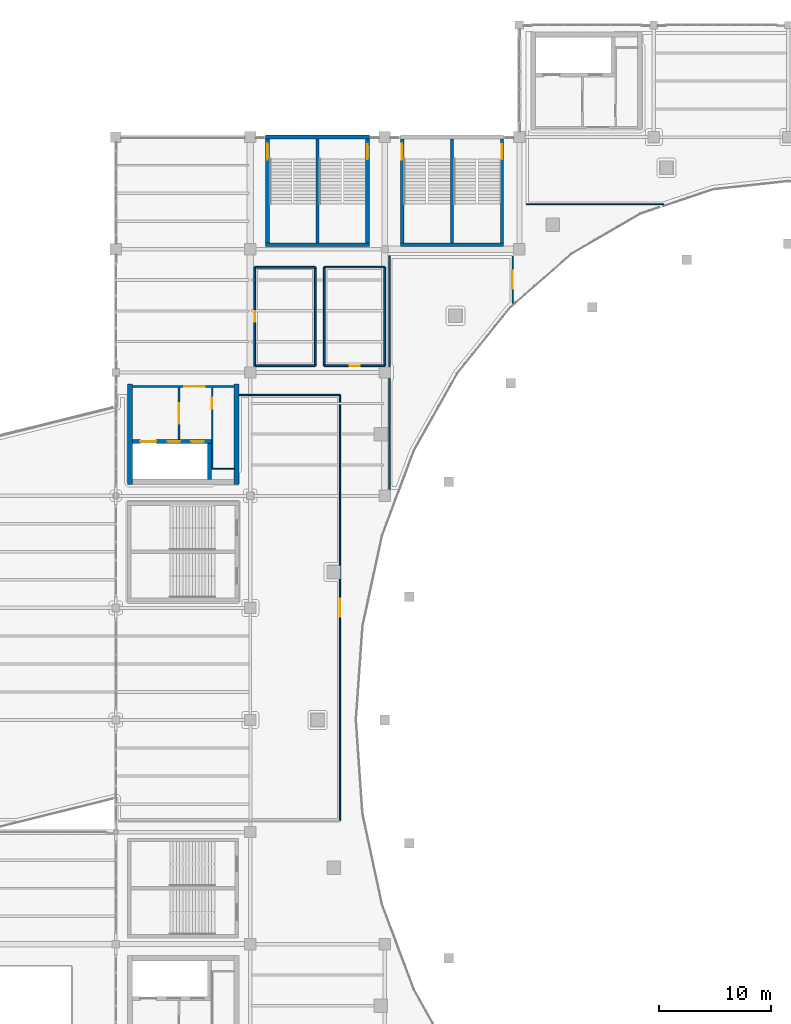
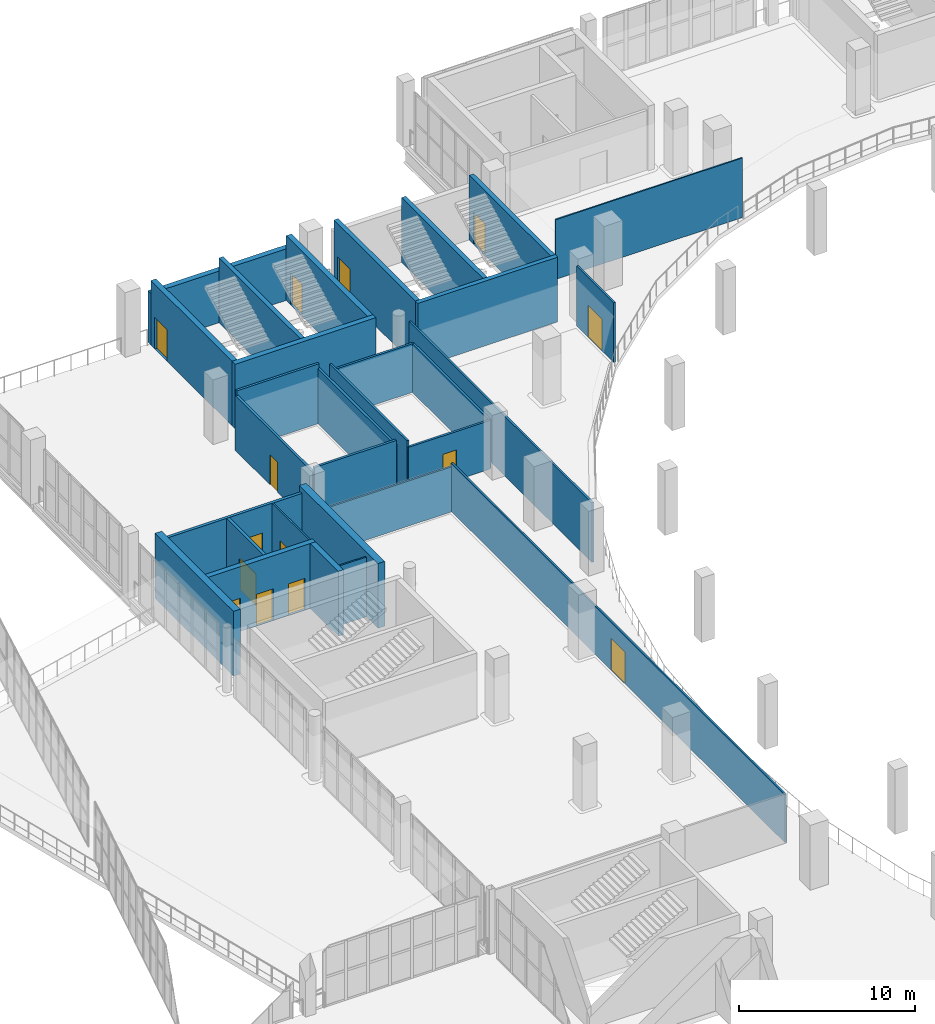
# One storey, part 82 of 108: 30 walls, 14 doors, 14 openings.
"""IFC4 building model written with IfcOpenShell, lengths in metres."""

from ifc_helpers import new_model, si_unit, direction, frame, frame_2d, origin, place, context, subcontext, project, spatial, rectangle, extrude, material, layer, layer_set, type_object, element, fill, save


model = new_model("IFC4")

# Units and contexts
model_context = context("Model", 3, precision=1e-05, world=origin(), true_north=direction((0.0, 1.0)))
body_context = subcontext(model_context, "Body", "Model", "MODEL_VIEW")
ifc_project = project(units=[si_unit("LENGTHUNIT", "METRE"), si_unit("AREAUNIT", "SQUARE_METRE"), si_unit("VOLUMEUNIT", "CUBIC_METRE"), si_unit("PLANEANGLEUNIT", "RADIAN"), si_unit("MASSUNIT", "GRAM", prefix="KILO")], contexts=[model_context])

# Site, building, storey
site_placement = place(None, origin())
site = spatial("IfcSite", under=ifc_project, at=site_placement, CompositionType="ELEMENT")
building_placement = place(site_placement, origin())
building = spatial("IfcBuilding", under=site, at=building_placement, Name="Brinegate Civic Arena", CompositionType="ELEMENT")
storey_placement = place(building_placement, frame((0.0, 0.0, 10.199951171875)))
storey = spatial("IfcBuildingStorey", under=building, at=storey_placement, Name="L02", CompositionType="ELEMENT", Elevation=10.199951171875)

# Wall
ifc_material_1 = material(Name="Concrete C50/60", Category="concrete")
ifc_layer_1 = layer(ifc_material_1, 0.35009765625, Name="Concrete C50/60")
ifc_layer_set_1 = layer_set([ifc_layer_1], Name="Concrete C50/60")
wall_type_1 = type_object("IfcWallType", Name="WALL-CORE-SHEAR-350", PredefinedType="SHEAR", material=ifc_layer_set_1)
wall_1_placement = place(storey_placement, frame((61.375, 104.39990234375, 0.0), z_axis=(0.0, 0.0, 1.0), x_axis=(1.0, 0.0, 0.0)))
element("IfcWall", 1, at=wall_1_placement, inside=storey, type_object=wall_type_1, Name="Stair ST-01 South Shear Wall L02 (WBB-12)", PredefinedType="SHEAR", context=body_context, shape_type="SweptSolid", body=[
    extrude(rectangle(XDim=9.25, YDim=0.35009765625, at=frame_2d((4.625, 0.0))), origin(), (0.0, 0.0, 1.0), 4.5),
])

# Wall, opening, door
wall_2_placement = place(storey_placement, frame((61.550048828125, 104.574951171875, 0.0), z_axis=(0.0, 0.0, 1.0), x_axis=(0.0, 1.0, 0.0)))
wall_2 = element("IfcWall", 2, at=wall_2_placement, inside=storey, type_object=wall_type_1, Name="Stair ST-01 West Shear Wall L02 (WBB-14)", PredefinedType="SHEAR", context=body_context, shape_type="SweptSolid", body=[
    extrude(rectangle(XDim=9.25, YDim=0.35009765625, at=frame_2d((4.625, 0.0))), origin(), (0.0, 0.0, 1.0), 4.5),
])
opening_1_placement = place(wall_2_placement, frame((7.425048828125, 0.0, 0.0)))
opening_1 = element("IfcOpeningElement", 3, at=opening_1_placement, cuts=wall_2, Name="Opening D-ST01A-L02", PredefinedType="OPENING", context=body_context, shape_type="SweptSolid", body=[
    extrude(rectangle(XDim=1.39990234375, YDim=2.199951171875, at=frame_2d((0.699951171875, 1.10009765625))), frame((0.0, 0.18505859375, 0.0), z_axis=(0.0, -1.0, 0.0), x_axis=(1.0, 0.0, 0.0)), (0.0, 0.0, 1.0), 0.3701171875),
])
ifc_material_2 = material(Name="Galvanized hurricane steel", Category="steel")
door_type_1 = type_object("IfcDoorType", Name="DOOR-STAIR-2400X2200", OperationType="NOTDEFINED", PredefinedType="DOOR", material=ifc_material_2)
door_1_placement = place(opening_1_placement, frame((1.39990234375, 0.0, 0.0), z_axis=(0.0, 0.0, 1.0), x_axis=(-1.0, 0.0, 0.0)))
door_1 = element("IfcDoor", 4, at=door_1_placement, inside=storey, type_object=door_type_1, Name="Protected Exit Stair Door D-ST01A-L02", OperationType="DOUBLE_DOOR_SINGLE_SWING", OverallHeight=2.199951171875, OverallWidth=1.39990234375, PredefinedType="DOOR", context=body_context, shape_type="SweptSolid", body=[
    extrude(rectangle(XDim=1.39990234375, YDim=2.199951171875, at=frame_2d((0.699951171875, 1.10009765625))), frame((0.0, 0.02490234375, 0.0), z_axis=(0.0, -1.0, 0.0), x_axis=(1.0, 0.0, 0.0)), (0.0, 0.0, 1.0), 0.050048828125),
])
fill(opening_1, door_1)

wall_3_placement = place(storey_placement, frame((70.449951171875, 104.574951171875, 0.0), z_axis=(0.0, 0.0, 1.0), x_axis=(0.0, 1.0, 0.0)))
wall_3 = element("IfcWall", 5, at=wall_3_placement, inside=storey, type_object=wall_type_1, Name="Stair ST-01 East Shear Wall L02 (WBB-15)", PredefinedType="SHEAR", context=body_context, shape_type="SweptSolid", body=[
    extrude(rectangle(XDim=9.25, YDim=0.35009765625, at=frame_2d((4.625, 0.0))), origin(), (0.0, 0.0, 1.0), 4.5),
])
opening_2_placement = place(wall_3_placement, frame((7.465087890625, 0.0, 0.0)))
opening_2 = element("IfcOpeningElement", 6, at=opening_2_placement, cuts=wall_3, Name="Opening D-ST01B-L02", PredefinedType="OPENING", context=body_context, shape_type="SweptSolid", body=[
    extrude(rectangle(XDim=1.320068359375, YDim=2.199951171875, at=frame_2d((0.66015625, 1.10009765625))), frame((0.0, 0.18505859375, 0.0), z_axis=(0.0, -1.0, 0.0), x_axis=(1.0, 0.0, 0.0)), (0.0, 0.0, 1.0), 0.3701171875),
])
door_type_2 = type_object("IfcDoorType", Name="DOOR-STAIR-2200X2200", OperationType="NOTDEFINED", PredefinedType="DOOR", material=ifc_material_2)
door_2_placement = place(opening_2_placement, origin())
door_2 = element("IfcDoor", 7, at=door_2_placement, inside=storey, type_object=door_type_2, Name="Protected Exit Stair Door D-ST01B-L02", OperationType="DOUBLE_DOOR_SINGLE_SWING", OverallHeight=2.199951171875, OverallWidth=1.320068359375, PredefinedType="DOOR", context=body_context, shape_type="SweptSolid", body=[
    extrude(rectangle(XDim=1.320068359375, YDim=2.199951171875, at=frame_2d((0.66015625, 1.10009765625))), frame((0.0, 0.02490234375, 0.0), z_axis=(0.0, -1.0, 0.0), x_axis=(1.0, 0.0, 0.0)), (0.0, 0.0, 1.0), 0.050048828125),
])
fill(opening_2, door_2)

# Wall, openings, doors
wall_4_placement = place(storey_placement, frame((49.47509765625, 86.85009765625, 0.0), z_axis=(0.0, 0.0, 1.0), x_axis=(1.0, 0.0, 0.0)))
wall_4 = element("IfcWall", 8, at=wall_4_placement, inside=storey, type_object=wall_type_1, Name="Core K1 Lift Shaft Front Wall L02 (WBF-57)", PredefinedType="SHEAR", context=body_context, shape_type="SweptSolid", body=[
    extrude(rectangle(XDim=7.0498046875, YDim=0.35009765625, at=frame_2d((3.52490234375, 0.0))), origin(), (0.0, 0.0, 1.0), 4.5),
])
opening_3_placement = place(wall_4_placement, frame((0.72509765625, 0.0, 0.0)))
opening_3 = element("IfcOpeningElement", 9, at=opening_3_placement, cuts=wall_4, Name="Opening LD-FL1-L02", PredefinedType="OPENING", context=body_context, shape_type="SweptSolid", body=[
    extrude(rectangle(XDim=1.39990234375, YDim=2.300048828125, at=frame_2d((0.699951171875, 1.14990234375))), frame((0.0, 0.18505859375, 0.0), z_axis=(0.0, -1.0, 0.0), x_axis=(1.0, 0.0, 0.0)), (0.0, 0.0, 1.0), 0.3701171875),
])
opening_4_placement = place(wall_4_placement, frame((3.175048828125, 0.0, 0.0)))
opening_4 = element("IfcOpeningElement", 10, at=opening_4_placement, cuts=wall_4, Name="Opening LD-PL1-L02", PredefinedType="OPENING", context=body_context, shape_type="SweptSolid", body=[
    extrude(rectangle(XDim=1.10009765625, YDim=2.199951171875, at=frame_2d((0.550048828125, 1.10009765625))), frame((0.0, 0.18505859375, 0.0), z_axis=(0.0, -1.0, 0.0), x_axis=(1.0, 0.0, 0.0)), (0.0, 0.0, 1.0), 0.3701171875),
])
opening_5_placement = place(wall_4_placement, frame((5.27490234375, 0.0, 0.0)))
opening_5 = element("IfcOpeningElement", 11, at=opening_5_placement, cuts=wall_4, Name="Opening LD-PL2-L02", PredefinedType="OPENING", context=body_context, shape_type="SweptSolid", body=[
    extrude(rectangle(XDim=1.10009765625, YDim=2.199951171875, at=frame_2d((0.550048828125, 1.10009765625))), frame((0.0, 0.18505859375, 0.0), z_axis=(0.0, -1.0, 0.0), x_axis=(1.0, 0.0, 0.0)), (0.0, 0.0, 1.0), 0.3701171875),
])
ifc_material_3 = material(Name="Architectural stainless steel balustrade", Category="steel")
door_type_3 = type_object("IfcDoorType", Name="DOOR-LIFT-1100X2200", OperationType="SLIDING_TO_LEFT", PredefinedType="DOOR", material=ifc_material_3)
door_3_placement = place(opening_4_placement, origin())
door_3 = element("IfcDoor", 12, at=door_3_placement, inside=storey, type_object=door_type_3, Name="Sliding Lift Landing Door LD-PL1-L02", OperationType="SLIDING_TO_LEFT", OverallHeight=2.199951171875, OverallWidth=1.10009765625, PredefinedType="DOOR", context=body_context, shape_type="SweptSolid", body=[
    extrude(rectangle(XDim=1.10009765625, YDim=2.199951171875, at=frame_2d((0.550048828125, 1.10009765625))), frame((0.0, 0.02490234375, 0.0), z_axis=(0.0, -1.0, 0.0), x_axis=(1.0, 0.0, 0.0)), (0.0, 0.0, 1.0), 0.050048828125),
])
fill(opening_4, door_3)
door_4_placement = place(opening_5_placement, origin())
door_4 = element("IfcDoor", 13, at=door_4_placement, inside=storey, type_object=door_type_3, Name="Sliding Lift Landing Door LD-PL2-L02", OperationType="SLIDING_TO_LEFT", OverallHeight=2.199951171875, OverallWidth=1.10009765625, PredefinedType="DOOR", context=body_context, shape_type="SweptSolid", body=[
    extrude(rectangle(XDim=1.10009765625, YDim=2.199951171875, at=frame_2d((0.550048828125, 1.10009765625))), frame((0.0, 0.02490234375, 0.0), z_axis=(0.0, -1.0, 0.0), x_axis=(1.0, 0.0, 0.0)), (0.0, 0.0, 1.0), 0.050048828125),
])
fill(opening_5, door_4)
door_type_4 = type_object("IfcDoorType", Name="DOOR-LIFT-1400X2300", OperationType="SLIDING_TO_LEFT", PredefinedType="DOOR", material=ifc_material_3)
door_5_placement = place(opening_3_placement, origin())
door_5 = element("IfcDoor", 14, at=door_5_placement, inside=storey, type_object=door_type_4, Name="Sliding Lift Landing Door LD-FL1-L02", OperationType="SLIDING_TO_LEFT", OverallHeight=2.300048828125, OverallWidth=1.39990234375, PredefinedType="DOOR", context=body_context, shape_type="SweptSolid", body=[
    extrude(rectangle(XDim=1.39990234375, YDim=2.300048828125, at=frame_2d((0.699951171875, 1.14990234375))), frame((0.0, 0.02490234375, 0.0), z_axis=(0.0, -1.0, 0.0), x_axis=(1.0, 0.0, 0.0)), (0.0, 0.0, 1.0), 0.050048828125),
])
fill(opening_3, door_5)

# Walls
wall_5_placement = place(storey_placement, frame((56.35009765625, 83.47509765625, 0.0), z_axis=(0.0, 0.0, 1.0), x_axis=(0.0, 1.0, 0.0)))
element("IfcWall", 15, at=wall_5_placement, inside=storey, type_object=wall_type_1, Name="Core K1 Lift Shaft End Wall L02 (WBF-58)", PredefinedType="SHEAR", context=body_context, shape_type="SweptSolid", body=[
    extrude(rectangle(XDim=3.199951171875, YDim=0.35009765625, at=frame_2d((1.60009765625, 0.0))), origin(), (0.0, 0.0, 1.0), 4.5),
])
ifc_layer_2 = layer(ifc_material_1, 0.449951171875, Name="Concrete C50/60")
ifc_layer_set_2 = layer_set([ifc_layer_2], Name="Concrete C50/60")
wall_type_2 = type_object("IfcWallType", Name="WALL-CORE-SHEAR-450", PredefinedType="SHEAR", material=ifc_layer_set_2)
for number, where, z_axis, x_axis, name in (
    (16, (49.25, 83.02490234375, 0.0), (0.0, 0.0, 1.0), (0.0, 1.0, 0.0), "Core K1 West Shear Wall L02 (WBF-54)"),
    (17, (58.75, 83.02490234375, 0.0), (0.0, 0.0, 1.0), (0.0, 1.0, 0.0), "Core K1 East Shear Wall L02 (WBF-55)"),
):
    element("IfcWall", number, at=place(storey_placement, frame(where, z_axis=z_axis, x_axis=x_axis)), inside=storey, type_object=wall_type_2, Name=name, PredefinedType="SHEAR", context=body_context, shape_type="SweptSolid", body=[
        extrude(rectangle(XDim=8.9501953125, YDim=0.449951171875, at=frame_2d((4.47509765625, 0.0))), origin(), (0.0, 0.0, 1.0), 4.5),
    ])
ifc_layer_3 = layer(ifc_material_1, 0.35009765625, Name="Concrete C50/60")
ifc_layer_set_3 = layer_set([ifc_layer_3], Name="Concrete C50/60")
wall_type_3 = type_object("IfcWallType", Name="WALL-EXT-STAIR-SHEAR-350", PredefinedType="SHEAR", material=ifc_layer_set_3)
wall_6_placement = place(storey_placement, frame((61.375, 114.0, 0.0), z_axis=(0.0, 0.0, 1.0), x_axis=(1.0, 0.0, 0.0)))
element("IfcWall", 18, at=wall_6_placement, inside=storey, type_object=wall_type_3, Name="Stair ST-01 North Shear Wall L02 (WBB-13)", PredefinedType="SHEAR", context=body_context, shape_type="SweptSolid", body=[
    extrude(rectangle(XDim=9.25, YDim=0.35009765625, at=frame_2d((4.625, 0.0))), origin(), (0.0, 0.0, 1.0), 3.5859375),
])

# Wall, opening, door
ifc_material_4 = material(Name="Fire-rated gypsum partition assembly")
ifc_layer_4 = layer(ifc_material_4, 0.1298828125, Name="Fire-rated gypsum partition assembly")
ifc_layer_set_4 = layer_set([ifc_layer_4], Name="Fire-rated gypsum partition assembly")
wall_type_4 = type_object("IfcWallType", Name="WALL-PART-ACOUSTIC-130", PredefinedType="PARTITIONING", material=ifc_layer_set_4)
wall_7_placement = place(storey_placement, frame((83.39990234375, 103.39990234375, 0.0), z_axis=(0.0, 0.0, 1.0), x_axis=(0.0, -1.0, 0.0)))
wall_7 = element("IfcWall", 19, at=wall_7_placement, inside=storey, type_object=wall_type_4, Name="North-West Club Terrace Salon Partition Wall E2 (WBJ-39)", PredefinedType="PARTITIONING", context=body_context, shape_type="SweptSolid", body=[
    extrude(rectangle(XDim=4.23583984375, YDim=0.1298828125, at=frame_2d((2.117919921875, 0.0))), origin(), (0.0, 0.0, 1.0), 4.150146484375),
])
opening_6_placement = place(wall_7_placement, frame((1.318115234375, 0.0, 0.0)))
opening_6 = element("IfcOpeningElement", 20, at=opening_6_placement, cuts=wall_7, Name="Opening D-L02-190", PredefinedType="OPENING", context=body_context, shape_type="SweptSolid", body=[
    extrude(rectangle(XDim=1.60009765625, YDim=2.199951171875, at=frame_2d((0.800048828125, 1.10009765625))), frame((0.0, 0.074951171875, 0.0), z_axis=(0.0, -1.0, 0.0), x_axis=(1.0, 0.0, 0.0)), (0.0, 0.0, 1.0), 0.14990234375),
])
ifc_material_5 = material(Name="Hardwood acoustic timber door", Category="wood")
door_type_5 = type_object("IfcDoorType", Name="DOOR-CLUB-1600X2200", OperationType="NOTDEFINED", PredefinedType="DOOR", material=ifc_material_5)
door_6_placement = place(opening_6_placement, origin())
door_6 = element("IfcDoor", 21, at=door_6_placement, inside=storey, type_object=door_type_5, Name="North-West Club Terrace Salon Door D-L02-190", OperationType="DOUBLE_DOOR_SINGLE_SWING", OverallHeight=2.199951171875, OverallWidth=1.60009765625, PredefinedType="DOOR", context=body_context, shape_type="SweptSolid", body=[
    extrude(rectangle(XDim=1.60009765625, YDim=2.199951171875, at=frame_2d((0.800048828125, 1.10009765625))), frame((0.0, 0.02490234375, 0.0), z_axis=(0.0, -1.0, 0.0), x_axis=(1.0, 0.0, 0.0)), (0.0, 0.0, 1.0), 0.050048828125),
])
fill(opening_6, door_6)

# Walls
wall_8_placement = place(storey_placement, frame((72.39990234375, 82.60009765625, 0.0), z_axis=(0.0, 0.0, 1.0), x_axis=(0.0, 1.0, 0.0)))
element("IfcWall", 22, at=wall_8_placement, inside=storey, type_object=wall_type_4, Name="North-West Club Terrace Salon Partition Wall E9 (WBJ-40)", PredefinedType="PARTITIONING", context=body_context, shape_type="SweptSolid", body=[
    extrude(rectangle(XDim=20.7998046875, YDim=0.1298828125, at=frame_2d((10.39990234375, 0.0))), origin(), (0.0, 0.0, 1.0), 4.150146484375),
])
ifc_layer_5 = layer(ifc_material_4, 0.090087890625, Name="Fire-rated gypsum partition assembly")
ifc_layer_set_5 = layer_set([ifc_layer_5], Name="Fire-rated gypsum partition assembly")
wall_type_5 = type_object("IfcWallType", Name="WALL-PART-LIGHT-090", PredefinedType="PARTITIONING", material=ifc_layer_set_5)
wall_9_placement = place(storey_placement, frame((96.8798828125, 108.0, 0.0), z_axis=(0.0, 0.0, 1.0), x_axis=(-1.0, 0.0, 0.0)))
element("IfcWall", 23, at=wall_9_placement, inside=storey, type_object=wall_type_5, Name="Civic Architecture Exhibition Hall Partition Wall E128 (WBJ-23)", PredefinedType="PARTITIONING", context=body_context, shape_type="SweptSolid", body=[
    extrude(rectangle(XDim=12.27978515625, YDim=0.090087890625, at=frame_2d((6.139892578125, 0.0))), origin(), (0.0, 0.0, 1.0), 4.150146484375),
])
ifc_layer_6 = layer(ifc_material_4, 0.159912109375, Name="Fire-rated gypsum partition assembly")
ifc_layer_set_6 = layer_set([ifc_layer_6], Name="Fire-rated gypsum partition assembly")
wall_type_6 = type_object("IfcWallType", Name="WALL-PART-RATED-160", PredefinedType="PARTITIONING", material=ifc_layer_set_6)
wall_10_placement = place(storey_placement, frame((65.800048828125, 102.39990234375, 0.0), z_axis=(0.0, 0.0, 1.0), x_axis=(0.0, -1.0, 0.0)))
element("IfcWall", 24, at=wall_10_placement, inside=storey, type_object=wall_type_6, Name="Club Male Toilet L02 Partition Wall E1 (WBJ-31)", PredefinedType="PARTITIONING", context=body_context, shape_type="SweptSolid", body=[
    extrude(rectangle(XDim=8.7998046875, YDim=0.159912109375, at=frame_2d((4.39990234375, 0.0))), origin(), (0.0, 0.0, 1.0), 3.820068359375),
])
wall_11_placement = place(storey_placement, frame((65.800048828125, 93.60009765625, 0.0), z_axis=(0.0, 0.0, 1.0), x_axis=(-1.0, 0.0, 0.0)))
element("IfcWall", 25, at=wall_11_placement, inside=storey, type_object=wall_type_6, Name="Club Male Toilet L02 Partition Wall E2 (WBJ-32)", PredefinedType="PARTITIONING", context=body_context, shape_type="SweptSolid", body=[
    extrude(rectangle(XDim=5.400146484375, YDim=0.159912109375, at=frame_2d((2.7001953125, 0.0))), origin(), (0.0, 0.0, 1.0), 4.150146484375),
])

# Wall, opening, door
wall_12_placement = place(storey_placement, frame((60.39990234375, 93.60009765625, 0.0), z_axis=(0.0, 0.0, 1.0), x_axis=(0.0, 1.0, 0.0)))
wall_12 = element("IfcWall", 26, at=wall_12_placement, inside=storey, type_object=wall_type_6, Name="Club Male Toilet L02 Partition Wall E3 (WBJ-33)", PredefinedType="PARTITIONING", context=body_context, shape_type="SweptSolid", body=[
    extrude(rectangle(XDim=8.7998046875, YDim=0.159912109375, at=frame_2d((4.39990234375, 0.0))), origin(), (0.0, 0.0, 1.0), 3.820068359375),
])
opening_7_placement = place(wall_12_placement, frame((3.949951171875, 0.0, 0.0)))
opening_7 = element("IfcOpeningElement", 27, at=opening_7_placement, cuts=wall_12, Name="Opening D-L02-188", PredefinedType="OPENING", context=body_context, shape_type="SweptSolid", body=[
    extrude(rectangle(XDim=0.89990234375, YDim=2.10009765625, at=frame_2d((0.449951171875, 1.050048828125))), frame((0.0, 0.08984375, 0.0), z_axis=(0.0, -1.0, 0.0), x_axis=(1.0, 0.0, 0.0)), (0.0, 0.0, 1.0), 0.179931640625),
])
door_type_6 = type_object("IfcDoorType", Name="DOOR-WC-900X2100", OperationType="NOTDEFINED", PredefinedType="DOOR", material=ifc_material_5)
door_7_placement = place(opening_7_placement, origin())
door_7 = element("IfcDoor", 28, at=door_7_placement, inside=storey, type_object=door_type_6, Name="Club Male Toilet L02 Door D-L02-188", OperationType="SINGLE_SWING_RIGHT", OverallHeight=2.10009765625, OverallWidth=0.89990234375, PredefinedType="DOOR", context=body_context, shape_type="SweptSolid", body=[
    extrude(rectangle(XDim=0.89990234375, YDim=2.10009765625, at=frame_2d((0.449951171875, 1.050048828125))), frame((0.0, 0.02490234375, 0.0), z_axis=(0.0, -1.0, 0.0), x_axis=(1.0, 0.0, 0.0)), (0.0, 0.0, 1.0), 0.050048828125),
])
fill(opening_7, door_7)

# Wall
wall_13_placement = place(storey_placement, frame((60.39990234375, 102.39990234375, 0.0), z_axis=(0.0, 0.0, 1.0), x_axis=(1.0, 0.0, 0.0)))
element("IfcWall", 29, at=wall_13_placement, inside=storey, type_object=wall_type_6, Name="Club Male Toilet L02 Partition Wall E4 (WBJ-34)", PredefinedType="PARTITIONING", context=body_context, shape_type="SweptSolid", body=[
    extrude(rectangle(XDim=5.400146484375, YDim=0.159912109375, at=frame_2d((2.7001953125, 0.0))), origin(), (0.0, 0.0, 1.0), 4.150146484375),
])

# Wall, opening, door
ifc_material_6 = material(Name="Concrete blockwork masonry", Category="masonry")
ifc_layer_7 = layer(ifc_material_6, 0.18994140625, Name="Concrete blockwork masonry")
ifc_layer_set_7 = layer_set([ifc_layer_7], Name="Concrete blockwork masonry")
wall_type_7 = type_object("IfcWallType", Name="WALL-PART-RATED-190", PredefinedType="PARTITIONING", material=ifc_layer_set_7)
wall_14_placement = place(storey_placement, frame((49.469970703125, 91.75, 0.0), z_axis=(0.0, 0.0, 1.0), x_axis=(1.0, 0.0, 0.0)))
wall_14 = element("IfcWall", 30, at=wall_14_placement, inside=storey, type_object=wall_type_7, Name="Core K1 Concourse Lobby Wall L02 (WBF-59)", PredefinedType="PARTITIONING", context=body_context, shape_type="SweptSolid", body=[
    extrude(rectangle(XDim=9.06005859375, YDim=0.18994140625, at=frame_2d((4.530029296875, 0.0))), origin(), (0.0, 0.0, 1.0), 4.150146484375),
])
opening_8_placement = place(wall_14_placement, frame((4.64990234375, 0.0, 0.0)))
opening_8 = element("IfcOpeningElement", 31, at=opening_8_placement, cuts=wall_14, Name="Opening D-K1L-L02", PredefinedType="OPENING", context=body_context, shape_type="SweptSolid", body=[
    extrude(rectangle(XDim=1.800048828125, YDim=2.300048828125, at=frame_2d((0.89990234375, 1.14990234375))), frame((0.0, 0.10498046875, 0.0), z_axis=(0.0, -1.0, 0.0), x_axis=(1.0, 0.0, 0.0)), (0.0, 0.0, 1.0), 0.2099609375),
])
ifc_material_7 = material(Name="Marine grade aluminium", Category="aluminium")
door_type_7 = type_object("IfcDoorType", Name="DOOR-CONC-1800X2300", OperationType="NOTDEFINED", PredefinedType="DOOR", material=ifc_material_7)
door_8_placement = place(opening_8_placement, origin())
door_8 = element("IfcDoor", 32, at=door_8_placement, inside=storey, type_object=door_type_7, Name="Lift Lobby Door D-K1L-L02", OperationType="DOUBLE_DOOR_SINGLE_SWING", OverallHeight=2.300048828125, OverallWidth=1.800048828125, PredefinedType="DOOR", context=body_context, shape_type="SweptSolid", body=[
    extrude(rectangle(XDim=1.800048828125, YDim=2.300048828125, at=frame_2d((0.89990234375, 1.14990234375))), frame((0.0, 0.02490234375, 0.0), z_axis=(0.0, -1.0, 0.0), x_axis=(1.0, 0.0, 0.0)), (0.0, 0.0, 1.0), 0.050048828125),
])
fill(opening_8, door_8)

wall_15_placement = place(storey_placement, frame((53.64990234375, 87.02490234375, 0.0), z_axis=(0.0, 0.0, 1.0), x_axis=(0.0, 1.0, 0.0)))
wall_15 = element("IfcWall", 33, at=wall_15_placement, inside=storey, type_object=wall_type_7, Name="Firefighting Lobby K1 Wall L02 (WBF-60)", PredefinedType="PARTITIONING", context=body_context, shape_type="SweptSolid", body=[
    extrude(rectangle(XDim=4.625, YDim=0.18994140625, at=frame_2d((2.3125, 0.0))), origin(), (0.0, 0.0, 1.0), 4.150146484375),
])
opening_9_placement = place(wall_15_placement, frame((1.4130859375, 0.0, 0.0)))
opening_9 = element("IfcOpeningElement", 34, at=opening_9_placement, cuts=wall_15, Name="Opening D-K1F-L02", PredefinedType="OPENING", context=body_context, shape_type="SweptSolid", body=[
    extrude(rectangle(XDim=1.800048828125, YDim=2.199951171875, at=frame_2d((0.89990234375, 1.10009765625))), frame((0.0, 0.10498046875, 0.0), z_axis=(0.0, -1.0, 0.0), x_axis=(1.0, 0.0, 0.0)), (0.0, 0.0, 1.0), 0.2099609375),
])
door_type_8 = type_object("IfcDoorType", Name="DOOR-FFLOB-1800X2200", OperationType="NOTDEFINED", PredefinedType="DOOR", material=ifc_material_2)
door_9_placement = place(opening_9_placement, origin())
door_9 = element("IfcDoor", 35, at=door_9_placement, inside=storey, type_object=door_type_8, Name="Firefighting Lift Lobby Door D-K1F-L02", OperationType="DOUBLE_DOOR_SINGLE_SWING", OverallHeight=2.199951171875, OverallWidth=1.800048828125, PredefinedType="DOOR", context=body_context, shape_type="SweptSolid", body=[
    extrude(rectangle(XDim=1.800048828125, YDim=2.199951171875, at=frame_2d((0.89990234375, 1.10009765625))), frame((0.0, 0.02490234375, 0.0), z_axis=(0.0, -1.0, 0.0), x_axis=(1.0, 0.0, 0.0)), (0.0, 0.0, 1.0), 0.050048828125),
])
fill(opening_9, door_9)

# Wall
ifc_layer_8 = layer(ifc_material_4, 0.114990234375, Name="Fire-rated gypsum partition assembly")
ifc_layer_set_8 = layer_set([ifc_layer_8], Name="Fire-rated gypsum partition assembly")
wall_type_8 = type_object("IfcWallType", Name="WALL-PART-STD-115", PredefinedType="PARTITIONING", material=ifc_layer_set_8)
wall_16_placement = place(storey_placement, frame((59.0, 91.0, 0.0), z_axis=(0.0, 0.0, 1.0), x_axis=(1.0, 0.0, 0.0)))
element("IfcWall", 36, at=wall_16_placement, inside=storey, type_object=wall_type_8, Name="Bahamas Founders VIP Club Lounge Partition Wall E46 (WBJ-17)", PredefinedType="PARTITIONING", context=body_context, shape_type="SweptSolid", body=[
    extrude(rectangle(XDim=9.0, YDim=0.114990234375, at=frame_2d((4.5, 0.0))), origin(), (0.0, 0.0, 1.0), 3.130126953125),
])

# Wall, opening, door
wall_17_placement = place(storey_placement, frame((68.0, 91.0, 0.0), z_axis=(0.0, 0.0, 1.0), x_axis=(0.0, -1.0, 0.0)))
wall_17 = element("IfcWall", 37, at=wall_17_placement, inside=storey, type_object=wall_type_8, Name="Bahamas Founders VIP Club Lounge Partition Wall E47 (WBJ-18)", PredefinedType="PARTITIONING", context=body_context, shape_type="SweptSolid", body=[
    extrude(rectangle(XDim=38.0, YDim=0.114990234375, at=frame_2d((19.0, 0.0))), origin(), (0.0, 0.0, 1.0), 3.360107421875),
])
opening_10_placement = place(wall_17_placement, frame((18.199951171875, 0.0, 0.0)))
opening_10 = element("IfcOpeningElement", 38, at=opening_10_placement, cuts=wall_17, Name="Opening D-L02-181", PredefinedType="OPENING", context=body_context, shape_type="SweptSolid", body=[
    extrude(rectangle(XDim=1.60009765625, YDim=2.199951171875, at=frame_2d((0.800048828125, 1.10009765625))), frame((0.0, 0.0673828125, 0.0), z_axis=(0.0, -1.0, 0.0), x_axis=(1.0, 0.0, 0.0)), (0.0, 0.0, 1.0), 0.135009765625),
])
door_10_placement = place(opening_10_placement, origin())
door_10 = element("IfcDoor", 39, at=door_10_placement, inside=storey, type_object=door_type_5, Name="Bahamas Founders VIP Club Lounge Door D-L02-181", OperationType="DOUBLE_DOOR_SINGLE_SWING", OverallHeight=2.199951171875, OverallWidth=1.60009765625, PredefinedType="DOOR", context=body_context, shape_type="SweptSolid", body=[
    extrude(rectangle(XDim=1.60009765625, YDim=2.199951171875, at=frame_2d((0.800048828125, 1.10009765625))), frame((0.0, 0.02490234375, 0.0), z_axis=(0.0, -1.0, 0.0), x_axis=(1.0, 0.0, 0.0)), (0.0, 0.0, 1.0), 0.050048828125),
])
fill(opening_10, door_10)

# Wall
ifc_layer_9 = layer(ifc_material_4, 0.14501953125, Name="Fire-rated gypsum partition assembly")
ifc_layer_set_9 = layer_set([ifc_layer_9], Name="Fire-rated gypsum partition assembly")
wall_type_9 = type_object("IfcWallType", Name="WALL-PART-SUITE-145", PredefinedType="PARTITIONING", material=ifc_layer_set_9)
wall_18_placement = place(storey_placement, frame((72.0, 102.39990234375, 0.0), z_axis=(0.0, 0.0, 1.0), x_axis=(0.0, -1.0, 0.0)))
element("IfcWall", 40, at=wall_18_placement, inside=storey, type_object=wall_type_9, Name="Club Female Toilet L02 Partition Wall E1 (WBJ-35)", PredefinedType="PARTITIONING", context=body_context, shape_type="SweptSolid", body=[
    extrude(rectangle(XDim=8.7998046875, YDim=0.14501953125, at=frame_2d((4.39990234375, 0.0))), origin(), (0.0, 0.0, 1.0), 3.380126953125),
])

# Wall, opening, door
wall_19_placement = place(storey_placement, frame((72.0, 93.60009765625, 0.0), z_axis=(0.0, 0.0, 1.0), x_axis=(-1.0, 0.0, 0.0)))
wall_19 = element("IfcWall", 41, at=wall_19_placement, inside=storey, type_object=wall_type_9, Name="Club Female Toilet L02 Partition Wall E2 (WBJ-36)", PredefinedType="PARTITIONING", context=body_context, shape_type="SweptSolid", body=[
    extrude(rectangle(XDim=5.39990234375, YDim=0.14501953125, at=frame_2d((2.699951171875, 0.0))), origin(), (0.0, 0.0, 1.0), 3.380126953125),
])
opening_11_placement = place(wall_19_placement, frame((2.25, 0.0, 0.0)))
opening_11 = element("IfcOpeningElement", 42, at=opening_11_placement, cuts=wall_19, Name="Opening D-L02-189", PredefinedType="OPENING", context=body_context, shape_type="SweptSolid", body=[
    extrude(rectangle(XDim=0.89990234375, YDim=2.10009765625, at=frame_2d((0.449951171875, 1.050048828125))), frame((0.0, 0.08251953125, 0.0), z_axis=(0.0, -1.0, 0.0), x_axis=(1.0, 0.0, 0.0)), (0.0, 0.0, 1.0), 0.1650390625),
])
door_11_placement = place(opening_11_placement, origin())
door_11 = element("IfcDoor", 43, at=door_11_placement, inside=storey, type_object=door_type_6, Name="Club Female Toilet L02 Door D-L02-189", OperationType="SINGLE_SWING_LEFT", OverallHeight=2.10009765625, OverallWidth=0.89990234375, PredefinedType="DOOR", context=body_context, shape_type="SweptSolid", body=[
    extrude(rectangle(XDim=0.89990234375, YDim=2.10009765625, at=frame_2d((0.449951171875, 1.050048828125))), frame((0.0, 0.02490234375, 0.0), z_axis=(0.0, -1.0, 0.0), x_axis=(1.0, 0.0, 0.0)), (0.0, 0.0, 1.0), 0.050048828125),
])
fill(opening_11, door_11)

# Walls
wall_20_placement = place(storey_placement, frame((66.60009765625, 93.60009765625, 0.0), z_axis=(0.0, 0.0, 1.0), x_axis=(0.0, 1.0, 0.0)))
element("IfcWall", 44, at=wall_20_placement, inside=storey, type_object=wall_type_9, Name="Club Female Toilet L02 Partition Wall E3 (WBJ-37)", PredefinedType="PARTITIONING", context=body_context, shape_type="SweptSolid", body=[
    extrude(rectangle(XDim=8.7998046875, YDim=0.14501953125, at=frame_2d((4.39990234375, 0.0))), origin(), (0.0, 0.0, 1.0), 3.820068359375),
])
wall_21_placement = place(storey_placement, frame((66.60009765625, 102.39990234375, 0.0), z_axis=(0.0, 0.0, 1.0), x_axis=(1.0, 0.0, 0.0)))
element("IfcWall", 45, at=wall_21_placement, inside=storey, type_object=wall_type_9, Name="Club Female Toilet L02 Partition Wall E4 (WBJ-38)", PredefinedType="PARTITIONING", context=body_context, shape_type="SweptSolid", body=[
    extrude(rectangle(XDim=5.39990234375, YDim=0.14501953125, at=frame_2d((2.699951171875, 0.0))), origin(), (0.0, 0.0, 1.0), 3.380126953125),
])

# Wall, opening, door
ifc_layer_10 = layer(ifc_material_6, 0.10009765625, Name="Concrete blockwork masonry")
ifc_layer_set_10 = layer_set([ifc_layer_10], Name="Concrete blockwork masonry")
wall_type_10 = type_object("IfcWallType", Name="WALL-PART-WET-100", PredefinedType="PARTITIONING", material=ifc_layer_set_10)
wall_22_placement = place(storey_placement, frame((56.60009765625, 84.39990234375, 0.0), z_axis=(0.0, 0.0, 1.0), x_axis=(0.0, 1.0, 0.0)))
wall_22 = element("IfcWall", 46, at=wall_22_placement, inside=storey, type_object=wall_type_10, Name="Accessible WC K1 Partition L02 (WBF-61)", PredefinedType="PARTITIONING", context=body_context, shape_type="SweptSolid", body=[
    extrude(rectangle(XDim=7.25, YDim=0.10009765625, at=frame_2d((3.625, 0.0))), origin(), (0.0, 0.0, 1.0), 4.150146484375),
])
opening_12_placement = place(wall_22_placement, frame((5.35009765625, 0.0, 0.0)))
opening_12 = element("IfcOpeningElement", 47, at=opening_12_placement, cuts=wall_22, Name="Opening D-K1W-L02", PredefinedType="OPENING", context=body_context, shape_type="SweptSolid", body=[
    extrude(rectangle(XDim=1.0, YDim=2.10009765625, at=frame_2d((0.5, 1.050048828125))), frame((0.0, 0.06005859375, 0.0), z_axis=(0.0, -1.0, 0.0), x_axis=(1.0, 0.0, 0.0)), (0.0, 0.0, 1.0), 0.1201171875),
])
door_type_9 = type_object("IfcDoorType", Name="DOOR-AWC-1000X2100", OperationType="NOTDEFINED", PredefinedType="DOOR", material=ifc_material_5)
door_12_placement = place(opening_12_placement, origin())
door_12 = element("IfcDoor", 48, at=door_12_placement, inside=storey, type_object=door_type_9, Name="Accessible WC Door D-K1W-L02", OperationType="SINGLE_SWING_LEFT", OverallHeight=2.10009765625, OverallWidth=1.0, PredefinedType="DOOR", context=body_context, shape_type="SweptSolid", body=[
    extrude(rectangle(XDim=1.0, YDim=2.10009765625, at=frame_2d((0.5, 1.050048828125))), frame((0.0, 0.02490234375, 0.0), z_axis=(0.0, -1.0, 0.0), x_axis=(1.0, 0.0, 0.0)), (0.0, 0.0, 1.0), 0.050048828125),
])
fill(opening_12, door_12)

# Walls
wall_23_placement = place(storey_placement, frame((56.60009765625, 84.39990234375, 0.0), z_axis=(0.0, 0.0, 1.0), x_axis=(1.0, 0.0, 0.0)))
element("IfcWall", 49, at=wall_23_placement, inside=storey, type_object=wall_type_10, Name="Accessible WC K1 Back Partition L02 (WBF-62)", PredefinedType="PARTITIONING", context=body_context, shape_type="SweptSolid", body=[
    extrude(rectangle(XDim=2.0, YDim=0.10009765625, at=frame_2d((1.0, 0.0))), origin(), (0.0, 0.0, 1.0), 4.150146484375),
])
ifc_layer_11 = layer(ifc_material_1, 0.2900390625, Name="Concrete C50/60")
ifc_layer_set_11 = layer_set([ifc_layer_11], Name="Concrete C50/60")
wall_type_11 = type_object("IfcWallType", Name="WALL-STAIR-SHEAR-290", PredefinedType="SHEAR", material=ifc_layer_set_11)
wall_24_placement = place(storey_placement, frame((66.0, 104.574951171875, 0.0), z_axis=(0.0, 0.0, 1.0), x_axis=(0.0, 1.0, 0.0)))
element("IfcWall", 50, at=wall_24_placement, inside=storey, type_object=wall_type_11, Name="Stair ST-01 Central Dividing Shear Wall L02 (WBB-16)", PredefinedType="SHEAR", context=body_context, shape_type="SweptSolid", body=[
    extrude(rectangle(XDim=9.25, YDim=0.2900390625, at=frame_2d((4.625, 0.0))), origin(), (0.0, 0.0, 1.0), 4.5),
])
wall_25_placement = place(storey_placement, frame((73.405029296875, 104.39990234375, 0.0), z_axis=(0.0, 0.0, 1.0), x_axis=(1.0, 0.0, 0.0)))
element("IfcWall", 51, at=wall_25_placement, inside=storey, type_object=wall_type_11, Name="Stair ST-11 South Shear Wall L02 (WBD-89)", PredefinedType="SHEAR", context=body_context, shape_type="SweptSolid", body=[
    extrude(rectangle(XDim=9.18994140625, YDim=0.2900390625, at=frame_2d((4.594970703125, 0.0))), origin(), (0.0, 0.0, 1.0), 4.5),
])

# Wall, opening, door
wall_26_placement = place(storey_placement, frame((73.550048828125, 104.544921875, 0.0), z_axis=(0.0, 0.0, 1.0), x_axis=(0.0, 1.0, 0.0)))
wall_26 = element("IfcWall", 52, at=wall_26_placement, inside=storey, type_object=wall_type_11, Name="Stair ST-11 West Shear Wall L02 (WBD-91)", PredefinedType="SHEAR", context=body_context, shape_type="SweptSolid", body=[
    extrude(rectangle(XDim=9.280029296875, YDim=0.2900390625, at=frame_2d((4.64013671875, 0.0))), origin(), (0.0, 0.0, 1.0), 4.5),
])
opening_13_placement = place(wall_26_placement, frame((7.455078125, 0.0, 0.0)))
opening_13 = element("IfcOpeningElement", 53, at=opening_13_placement, cuts=wall_26, Name="Opening D-ST11A-L02", PredefinedType="OPENING", context=body_context, shape_type="SweptSolid", body=[
    extrude(rectangle(XDim=1.39990234375, YDim=2.199951171875, at=frame_2d((0.699951171875, 1.10009765625))), frame((0.0, 0.155029296875, 0.0), z_axis=(0.0, -1.0, 0.0), x_axis=(1.0, 0.0, 0.0)), (0.0, 0.0, 1.0), 0.31005859375),
])
door_13_placement = place(opening_13_placement, frame((1.39990234375, 0.0, 0.0), z_axis=(0.0, 0.0, 1.0), x_axis=(-1.0, 0.0, 0.0)))
door_13 = element("IfcDoor", 54, at=door_13_placement, inside=storey, type_object=door_type_1, Name="Protected Exit Stair Door D-ST11A-L02", OperationType="DOUBLE_DOOR_SINGLE_SWING", OverallHeight=2.199951171875, OverallWidth=1.39990234375, PredefinedType="DOOR", context=body_context, shape_type="SweptSolid", body=[
    extrude(rectangle(XDim=1.39990234375, YDim=2.199951171875, at=frame_2d((0.699951171875, 1.10009765625))), frame((0.0, 0.02490234375, 0.0), z_axis=(0.0, -1.0, 0.0), x_axis=(1.0, 0.0, 0.0)), (0.0, 0.0, 1.0), 0.050048828125),
])
fill(opening_13, door_13)

wall_27_placement = place(storey_placement, frame((82.449951171875, 104.544921875, 0.0), z_axis=(0.0, 0.0, 1.0), x_axis=(0.0, 1.0, 0.0)))
wall_27 = element("IfcWall", 55, at=wall_27_placement, inside=storey, type_object=wall_type_11, Name="Stair ST-11 East Shear Wall L02 (WBD-92)", PredefinedType="SHEAR", context=body_context, shape_type="SweptSolid", body=[
    extrude(rectangle(XDim=9.280029296875, YDim=0.2900390625, at=frame_2d((4.64013671875, 0.0))), origin(), (0.0, 0.0, 1.0), 4.5),
])
opening_14_placement = place(wall_27_placement, frame((7.4951171875, 0.0, 0.0)))
opening_14 = element("IfcOpeningElement", 56, at=opening_14_placement, cuts=wall_27, Name="Opening D-ST11B-L02", PredefinedType="OPENING", context=body_context, shape_type="SweptSolid", body=[
    extrude(rectangle(XDim=1.320068359375, YDim=2.199951171875, at=frame_2d((0.66015625, 1.10009765625))), frame((0.0, 0.155029296875, 0.0), z_axis=(0.0, -1.0, 0.0), x_axis=(1.0, 0.0, 0.0)), (0.0, 0.0, 1.0), 0.31005859375),
])
door_14_placement = place(opening_14_placement, origin())
door_14 = element("IfcDoor", 57, at=door_14_placement, inside=storey, type_object=door_type_2, Name="Protected Exit Stair Door D-ST11B-L02", OperationType="DOUBLE_DOOR_SINGLE_SWING", OverallHeight=2.199951171875, OverallWidth=1.320068359375, PredefinedType="DOOR", context=body_context, shape_type="SweptSolid", body=[
    extrude(rectangle(XDim=1.320068359375, YDim=2.199951171875, at=frame_2d((0.66015625, 1.10009765625))), frame((0.0, 0.02490234375, 0.0), z_axis=(0.0, -1.0, 0.0), x_axis=(1.0, 0.0, 0.0)), (0.0, 0.0, 1.0), 0.050048828125),
])
fill(opening_14, door_14)

# Wall
wall_28_placement = place(storey_placement, frame((78.0, 104.544921875, 0.0), z_axis=(0.0, 0.0, 1.0), x_axis=(0.0, 1.0, 0.0)))
element("IfcWall", 58, at=wall_28_placement, inside=storey, type_object=wall_type_11, Name="Stair ST-11 Central Dividing Shear Wall L02 (WBD-93)", PredefinedType="SHEAR", context=body_context, shape_type="SweptSolid", body=[
    extrude(rectangle(XDim=9.280029296875, YDim=0.2900390625, at=frame_2d((4.64013671875, 0.0))), origin(), (0.0, 0.0, 1.0), 4.5),
])

save(model, "model.ifc")
